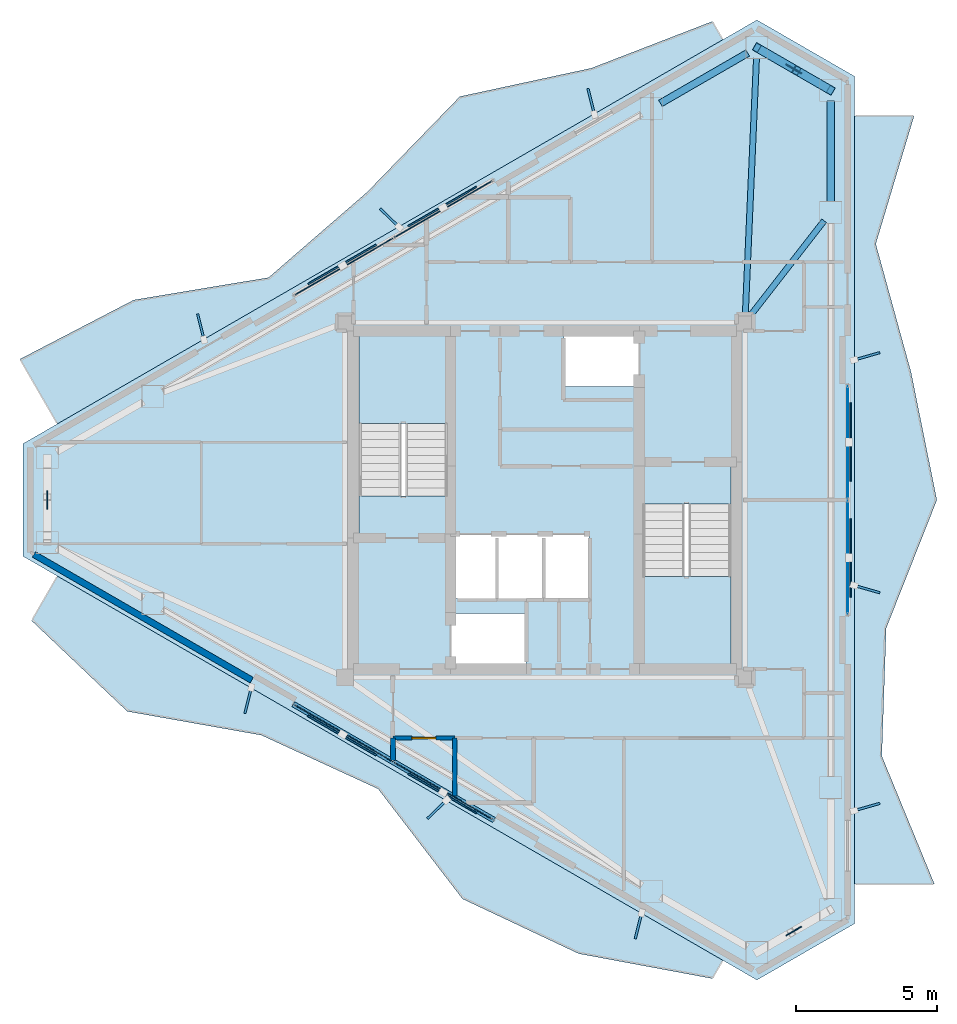
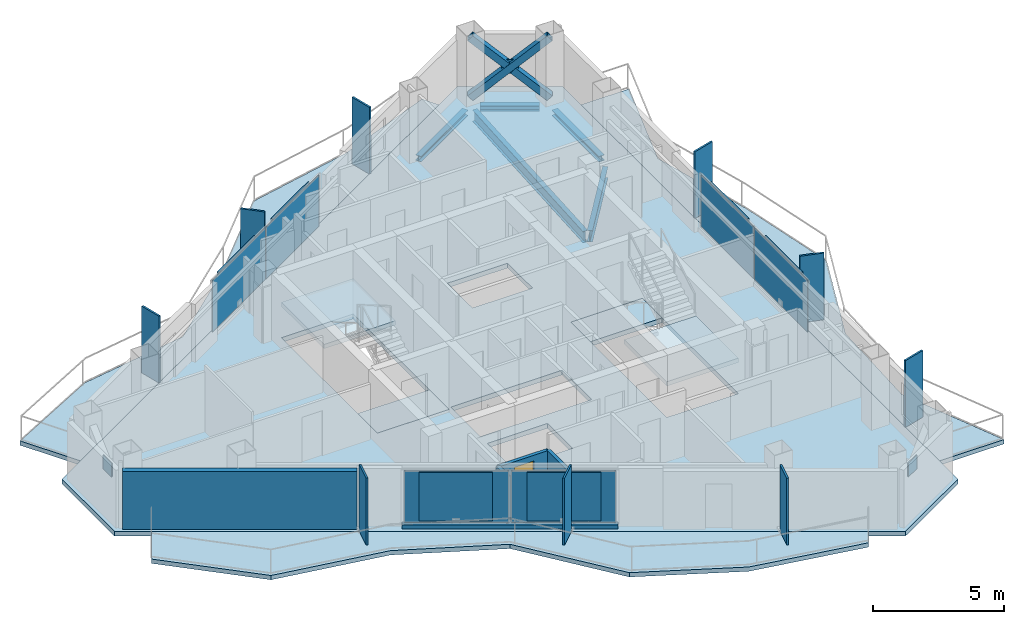
# One storey, part 13 of 18: 24 plates, 8 slabs, 5 beams, 5 walls, 3 members, 1 door, 1 opening, 5 elements without a shape of their own.
"""IFC4 building model written with IfcOpenShell, lengths in metres."""

from ifc_helpers import new_model, si_unit, direction, frame, frame_2d, origin, origin_2d, place, context, subcontext, project, spatial, polyline, rectangle, hollow_rectangle, i_section, outline, extrude, material, layer, layer_set, material_profile, profile_set, type_object, element, fill, aggregate, save


model = new_model("IFC4")

# Units and contexts
model_context = context("Model", 3, precision=1e-05, world=origin(), true_north=direction((0.0, 1.0)))
body_context = subcontext(model_context, "Body", "Model", "MODEL_VIEW")
ifc_project = project(units=[si_unit("LENGTHUNIT", "METRE"), si_unit("AREAUNIT", "SQUARE_METRE"), si_unit("VOLUMEUNIT", "CUBIC_METRE"), si_unit("PLANEANGLEUNIT", "RADIAN"), si_unit("MASSUNIT", "GRAM", prefix="KILO")], contexts=[model_context])

# Site, building, storey
site_placement = place(None, origin())
site = spatial("IfcSite", under=ifc_project, at=site_placement, CompositionType="ELEMENT")
building_placement = place(site_placement, origin())
building = spatial("IfcBuilding", under=site, at=building_placement, Name="Mersakhor Tower and Convention Hall", CompositionType="ELEMENT")
storey_placement = place(building_placement, frame((0.0, 0.0, 233.10009765625)))
storey = spatial("IfcBuildingStorey", under=building, at=storey_placement, Name="L65", CompositionType="ELEMENT", Elevation=233.10009765625)

# Beams
ifc_material_1 = material(Name="Steel S355", Category="steel")
ifc_material_profile_1 = material_profile(ifc_material_1, i_section(OverallWidth=0.2099609375, OverallDepth=0.53662109375, WebThickness=0.0107421875, FlangeThickness=0.017333984375, at=origin_2d()), Name="UB 533x210x101")
ifc_profile_set_1 = profile_set([ifc_material_profile_1], Name="Steel S355")
beam_type_1 = type_object("IfcBeamType", Name="BM-FB-533", PredefinedType="BEAM", material=ifc_profile_set_1)
beam_1_placement = place(storey_placement, frame((36.1123046875, 33.32958984375, -0.488525390625), z_axis=(0.043540774519, 0.999051650794, 0.0), x_axis=(-0.999051650794, 0.043540774519, 0.0)))
element("IfcBeam", 1, at=beam_1_placement, inside=storey, type_object=beam_type_1, Name="L65 Primary Floor Girder FG-2", PredefinedType="BEAM", context=body_context, shape_type="SweptSolid", body=[
    extrude(i_section(OverallWidth=0.2099609375, OverallDepth=0.53662109375, WebThickness=0.0107421875, FlangeThickness=0.017333984375, at=origin_2d()), origin(), (0.0, 0.0, 1.0), 9.10595703125),
])
beam_2_placement = place(storey_placement, frame((36.27197265625, 33.27099609375, -0.488525390625), z_axis=(0.614066533088, 0.789254263809, 0.0), x_axis=(-0.789254263809, 0.614066533088, 0.0)))
element("IfcBeam", 2, at=beam_2_placement, inside=storey, type_object=beam_type_1, Name="L65 Primary Floor Girder FG-3", PredefinedType="BEAM", context=body_context, shape_type="SweptSolid", body=[
    extrude(i_section(OverallWidth=0.2099609375, OverallDepth=0.53662109375, WebThickness=0.0107421875, FlangeThickness=0.017333984375, at=origin_2d()), origin(), (0.0, 0.0, 1.0), 4.295166015625),
])
ifc_material_2 = material(Name="Steel S355", Category="steel")
ifc_material_profile_2 = material_profile(ifc_material_2, i_section(OverallWidth=0.25634765625, OverallDepth=0.26025390625, WebThickness=0.01025390625, FlangeThickness=0.017333984375, at=origin_2d()), Name="UC 254x254x89")
ifc_profile_set_2 = profile_set([ifc_material_profile_2], Name="Steel S355")
beam_type_2 = type_object("IfcBeamType", Name="BM-SPD-UC254", PredefinedType="SPANDREL", material=ifc_profile_set_2)
beam_3_placement = place(storey_placement, frame((33.1005859375, 40.829345703125, -0.35009765625), z_axis=(0.866002454009, 0.500039748071, 0.0), x_axis=(-0.500039748071, 0.866002454009, 0.0)))
element("IfcBeam", 3, at=beam_3_placement, inside=storey, type_object=beam_type_2, Name="L65 Perimeter Spandrel Beam SPB-03", PredefinedType="SPANDREL", context=body_context, shape_type="SweptSolid", body=[
    extrude(i_section(OverallWidth=0.25634765625, OverallDepth=0.26025390625, WebThickness=0.01025390625, FlangeThickness=0.017333984375, at=origin_2d()), origin(), (0.0, 0.0, 1.0), 3.574462890625),
])
beam_4_placement = place(storey_placement, frame((36.854248046875, 42.61669921875, -0.35009765625), z_axis=(0.866016678684, -0.500015112013, 0.0), x_axis=(0.500015112013, 0.866016678684, 0.0)))
element("IfcBeam", 4, at=beam_4_placement, inside=storey, type_object=beam_type_2, Name="L65 Perimeter Spandrel Beam SPB-04", PredefinedType="SPANDREL", context=body_context, shape_type="SweptSolid", body=[
    extrude(i_section(OverallWidth=0.25634765625, OverallDepth=0.26025390625, WebThickness=0.01025390625, FlangeThickness=0.017333984375, at=origin_2d()), origin(), (0.0, 0.0, 1.0), 2.2626953125),
])
beam_5_placement = place(storey_placement, frame((39.142822265625, 40.915283203125, -0.35009765625), z_axis=(0.0, -1.0, 0.0), x_axis=(1.0, 0.0, 0.0)))
element("IfcBeam", 5, at=beam_5_placement, inside=storey, type_object=beam_type_2, Name="L65 Perimeter Spandrel Beam SPB-05", PredefinedType="SPANDREL", context=body_context, shape_type="SweptSolid", body=[
    extrude(i_section(OverallWidth=0.25634765625, OverallDepth=0.26025390625, WebThickness=0.01025390625, FlangeThickness=0.017333984375, at=origin_2d()), origin(), (0.0, 0.0, 1.0), 3.574462890625),
])

# Members
ifc_material_3 = material(Name="Steel S355", Category="steel")
ifc_material_profile_3 = material_profile(ifc_material_3, hollow_rectangle(XDim=0.300048828125, YDim=0.300048828125, WallThickness=0.01611328125, at=origin_2d()), Name="SHS 300x300x16")
ifc_profile_set_3 = profile_set([ifc_material_profile_3], Name="Steel S355")
member_type = type_object("IfcMemberType", Name="MB-BRC-SHS300", PredefinedType="BRACE", material=ifc_profile_set_3)
member_placement = place(storey_placement, frame((36.525146484375, 42.806640625, 0.14990234375), z_axis=(0.637423019708, -0.367995569109, 0.676957277132), x_axis=(0.499978822259, 0.866037630414, 0.0)))
element("IfcMember", 6, at=member_placement, inside=storey, type_object=member_type, Name="L65 Chamfer Braced Frame Diagonal CB-1A", PredefinedType="BRACE", context=body_context, shape_type="SweptSolid", body=[
    extrude(hollow_rectangle(XDim=0.300048828125, YDim=0.300048828125, WallThickness=0.01611328125, at=origin_2d()), origin(), (0.0, 0.0, 1.0), 4.106689453125),
])
for number, where, z_axis, x_axis, name in (
    (7, (39.142822265625, 41.29541015625, 0.14990234375), (-0.6374128848, 0.367990943802, 0.676969334291), (-0.499980071345, -0.866036909293, 0.0), "L65 Chamfer Braced Frame Diagonal CB-1B Lower Half"),
    (8, (37.73291015625, 42.109375, 1.647216796875), (-0.6374128848, 0.367990943802, 0.676969334291), (-0.499980071345, -0.866036909293, 0.0), "L65 Chamfer Braced Frame Diagonal CB-1B Upper Half"),
):
    element("IfcMember", number, at=place(storey_placement, frame(where, z_axis=z_axis, x_axis=x_axis)), inside=storey, type_object=member_type, Name=name, PredefinedType="BRACE", context=body_context, shape_type="SweptSolid", body=[
        extrude(hollow_rectangle(XDim=0.300048828125, YDim=0.300048828125, WallThickness=0.01611328125, at=origin_2d()), origin(), (0.0, 0.0, 1.0), 1.894775390625),
    ])

# Curtain wall, plates
ifc_material_4 = material(Name="Dark solar low-E aluminium curtain wall", Category="aluminium")
ifc_layer_1 = layer(ifc_material_4, 0.179931640625)
ifc_layer_set_1 = layer_set([ifc_layer_1], Name="Dark solar low-E aluminium curtain wall")
curtain_wall_type = type_object("IfcCurtainWallType", Name="CW-SYS-03", PredefinedType="USERDEFINED", material=ifc_layer_set_1)
curtain_wall_1_placement = place(storey_placement, origin())
curtain_wall_1 = element("IfcCurtainWall", 9, at=curtain_wall_1_placement, inside=storey, type_object=curtain_wall_type, Name="L65 Dark-Glass Curtain Wall F1-B2", ObjectType="CURTAIN WALL", PredefinedType="USERDEFINED")
ifc_material_5 = material(Name="Dark solar double glazing", Category="glass")
ifc_layer_2 = layer(ifc_material_5, 0.031982421875)
ifc_layer_set_2 = layer_set([ifc_layer_2], Name="Dark solar double glazing")
plate_type_1 = type_object("IfcPlateType", Name="CWP-GLZ-32", PredefinedType="CURTAIN_PANEL", material=ifc_layer_set_2)
plate_1_placement = place(storey_placement, frame((21.863525390625, 35.034423828125, 0.260009765625), z_axis=(0.0, 0.0, 1.0), x_axis=(0.86602285698, 0.500004411169, 0.0)))
plate_1 = element("IfcPlate", 10, at=plate_1_placement, type_object=plate_type_1, Name="CW-03 panel 1.1", PredefinedType="CURTAIN_PANEL", context=body_context, shape_type="SweptSolid", body=[
    extrude(rectangle(XDim=4.00146484375, YDim=0.031982421875, at=origin_2d()), origin(), (0.0, 0.0, 1.0), 2.3798828125),
])
plate_2_placement = place(storey_placement, frame((25.393798828125, 37.07275390625, 0.260009765625), z_axis=(0.0, 0.0, 1.0), x_axis=(0.86602285698, 0.500004411169, 0.0)))
plate_2 = element("IfcPlate", 11, at=plate_2_placement, type_object=plate_type_1, Name="CW-03 panel 2.1", PredefinedType="CURTAIN_PANEL", context=body_context, shape_type="SweptSolid", body=[
    extrude(rectangle(XDim=4.00146484375, YDim=0.031982421875, at=origin_2d()), origin(), (0.0, 0.0, 1.0), 2.3798828125),
])
aggregate(curtain_wall_1, [plate_1, plate_2])

curtain_wall_2_placement = place(storey_placement, origin())
curtain_wall_2 = element("IfcCurtainWall", 12, at=curtain_wall_2_placement, inside=storey, type_object=curtain_wall_type, Name="L65 Dark-Glass Curtain Wall F2-B2", ObjectType="CURTAIN WALL", PredefinedType="USERDEFINED")
plate_3_placement = place(storey_placement, frame((39.742919921875, 28.7880859375, 0.260009765625), z_axis=(0.0, 0.0, 1.0), x_axis=(0.0, -1.0, 0.0)))
plate_3 = element("IfcPlate", 13, at=plate_3_placement, type_object=plate_type_1, Name="CW-03 panel 1.1", PredefinedType="CURTAIN_PANEL", context=body_context, shape_type="SweptSolid", body=[
    extrude(rectangle(XDim=4.00146484375, YDim=0.031982421875, at=origin_2d()), origin(), (0.0, 0.0, 1.0), 2.3798828125),
])
plate_4_placement = place(storey_placement, frame((39.742919921875, 24.7119140625, 0.260009765625), z_axis=(0.0, 0.0, 1.0), x_axis=(0.0, -1.0, 0.0)))
plate_4 = element("IfcPlate", 14, at=plate_4_placement, type_object=plate_type_1, Name="CW-03 panel 2.1", PredefinedType="CURTAIN_PANEL", context=body_context, shape_type="SweptSolid", body=[
    extrude(rectangle(XDim=4.00146484375, YDim=0.031982421875, at=origin_2d()), origin(), (0.0, 0.0, 1.0), 2.3798828125),
])
aggregate(curtain_wall_2, [plate_3, plate_4])

curtain_wall_3_placement = place(storey_placement, origin())
curtain_wall_3 = element("IfcCurtainWall", 15, at=curtain_wall_3_placement, inside=storey, type_object=curtain_wall_type, Name="L65 Dark-Glass Curtain Wall F3-B2", ObjectType="CURTAIN WALL", PredefinedType="USERDEFINED")
plate_5_placement = place(storey_placement, frame((25.393798828125, 16.42724609375, 0.260009765625), z_axis=(0.0, 0.0, 1.0), x_axis=(-0.86602285698, 0.500004411169, 0.0)))
plate_5 = element("IfcPlate", 16, at=plate_5_placement, type_object=plate_type_1, Name="CW-03 panel 1.1", PredefinedType="CURTAIN_PANEL", context=body_context, shape_type="SweptSolid", body=[
    extrude(rectangle(XDim=4.00146484375, YDim=0.031982421875, at=origin_2d()), origin(), (0.0, 0.0, 1.0), 2.3798828125),
])
plate_6_placement = place(storey_placement, frame((21.863525390625, 18.465576171875, 0.260009765625), z_axis=(0.0, 0.0, 1.0), x_axis=(-0.86602285698, 0.500004411169, 0.0)))
plate_6 = element("IfcPlate", 17, at=plate_6_placement, type_object=plate_type_1, Name="CW-03 panel 2.1", PredefinedType="CURTAIN_PANEL", context=body_context, shape_type="SweptSolid", body=[
    extrude(rectangle(XDim=4.00146484375, YDim=0.031982421875, at=origin_2d()), origin(), (0.0, 0.0, 1.0), 2.3798828125),
])
aggregate(curtain_wall_3, [plate_5, plate_6])

# Plates
ifc_material_6 = material(Name="Ceramic-clad aluminium Zone 5 ultramarine", Category="aluminium")
ifc_material_7 = material(Name="Ceramic-clad aluminium Zone 1 cobalt-slate", Category="masonry")
ifc_layer_3 = layer(ifc_material_7, 0.080078125)
ifc_layer_set_3 = layer_set([ifc_layer_3], Name="Ceramic-clad aluminium Zone 1 cobalt-slate")
plate_type_2 = type_object("IfcPlateType", Name="PL-FIN-80", PredefinedType="USERDEFINED", material=ifc_layer_set_3)
for number, where, z_axis, x_axis, name in (
    (18, (16.78564453125, 32.8955078125, -0.000244140625), (0.0, 0.0, 1.0), (-0.2419218956, 0.970295726276, 0.0), "L65 Zone 5 Coloured Brise-Soleil Fin F1-1"),
    (19, (23.487060546875, 36.7646484375, -0.000244140625), (0.0, 0.0, 1.0), (-0.719339800339, 0.694658370459, 0.0), "L65 Zone 5 Coloured Brise-Soleil Fin F1-2"),
    (20, (30.64208984375, 40.8955078125, -0.000244140625), (0.0, 0.0, 1.0), (-0.2419218956, 0.970295726276, 0.0), "L65 Zone 5 Coloured Brise-Soleil Fin F1-3"),
    (21, (40.429443359375, 31.850341796875, -0.000244140625), (0.0, 0.0, 1.0), (0.961261695938, 0.275637355817, 0.0), "L65 Zone 5 Coloured Brise-Soleil Fin F2-1"),
    (22, (40.429443359375, 23.58837890625, -0.000244140625), (0.0, 0.0, 1.0), (0.961261695938, -0.275637355817, 0.0), "L65 Zone 5 Coloured Brise-Soleil Fin F2-2"),
    (23, (40.429443359375, 15.850341796875, -0.000244140625), (0.0, 0.0, 1.0), (0.961261695938, 0.275637355817, 0.0), "L65 Zone 5 Coloured Brise-Soleil Fin F2-3"),
    (24, (32.321044921875, 11.635009765625, -0.000244140625), (0.0, 0.0, 1.0), (-0.2419218956, -0.970295726276, 0.0), "L65 Zone 5 Coloured Brise-Soleil Fin F3-1"),
    (25, (25.166015625, 15.765869140625, -0.000244140625), (0.0, 0.0, 1.0), (-0.719339800339, -0.694658370459, 0.0), "L65 Zone 5 Coloured Brise-Soleil Fin F3-2"),
    (26, (18.464599609375, 19.635009765625, -0.000244140625), (0.0, 0.0, 1.0), (-0.2419218956, -0.970295726276, 0.0), "L65 Zone 5 Coloured Brise-Soleil Fin F3-3"),
):
    element("IfcPlate", number, at=place(storey_placement, frame(where, z_axis=z_axis, x_axis=x_axis)), inside=storey, type_object=plate_type_2, material=ifc_material_6, Name=name, ObjectType="FIN", PredefinedType="USERDEFINED", context=body_context, shape_type="SweptSolid", body=[
        extrude(rectangle(XDim=0.949951171875, YDim=0.080078125, at=origin_2d()), origin(), (0.0, 0.0, 1.0), 3.10009765625),
    ])
ifc_material_8 = material(Name="Steel S460", Category="steel")
ifc_layer_4 = layer(ifc_material_8, 0.0400390625)
ifc_layer_set_4 = layer_set([ifc_layer_4], Name="Steel S460")
plate_type_3 = type_object("IfcPlateType", Name="PL-GUSSET-40", PredefinedType="SHEET", material=ifc_layer_set_4)
for number, where, z_axis, x_axis, name in (
    (27, (37.833984375, 42.051025390625, 1.2197265625), (0.0, 0.0, 1.0), (-0.866025403784, 0.5, 0.0), "L65 X-Brace Crossing Gusset Node Plate"),
    (28, (37.833984375, 11.448974609375, 1.2197265625), (0.0, 0.0, 1.0), (0.866025403784, 0.5, 0.0), "L65 X-Brace Crossing Gusset Node Plate"),
    (29, (11.33203125, 26.75, 1.2197265625), (0.0, 0.0, 1.0), (0.0, -1.0, 0.0), "L65 X-Brace Crossing Gusset Node Plate"),
):
    element("IfcPlate", number, at=place(storey_placement, frame(where, z_axis=z_axis, x_axis=x_axis)), inside=storey, type_object=plate_type_3, Name=name, PredefinedType="SHEET", context=body_context, shape_type="SweptSolid", body=[
        extrude(rectangle(XDim=0.639892578125, YDim=0.0400390625, at=origin_2d()), origin(), (0.0, 0.0, 1.0), 0.639892578125),
    ])
ifc_material_9 = material(Name="Perforated ceramic cobogo solar screen", Category="aluminium")
ifc_layer_5 = layer(ifc_material_9, 0.055908203125)
ifc_layer_set_5 = layer_set([ifc_layer_5], Name="Perforated ceramic cobogo solar screen")
plate_type_4 = type_object("IfcPlateType", Name="PL-SCR-56", PredefinedType="USERDEFINED", material=ifc_layer_set_5)
for number, where, z_axis, x_axis, name in (
    (30, (21.79833984375, 35.10986328125, 0.39990234375), (0.0, 0.0, 1.0), (0.866025403784, 0.5, 0.0), "L65 Perforated Ceramic Solar Screen F1-1"),
    (31, (25.361083984375, 37.1669921875, 0.39990234375), (0.0, 0.0, 1.0), (0.866025403784, 0.5, 0.0), "L65 Perforated Ceramic Solar Screen F1-2"),
    (32, (39.8408203125, 28.806884765625, 0.39990234375), (0.0, 0.0, 1.0), (0.0, -1.0, 0.0), "L65 Perforated Ceramic Solar Screen F2-1"),
    (33, (39.8408203125, 24.693115234375, 0.39990234375), (0.0, 0.0, 1.0), (0.0, -1.0, 0.0), "L65 Perforated Ceramic Solar Screen F2-2"),
    (34, (25.36083984375, 16.3330078125, 0.39990234375), (0.0, 0.0, 1.0), (-0.866025403784, 0.5, 0.0), "L65 Perforated Ceramic Solar Screen F3-1"),
    (35, (21.798095703125, 18.389892578125, 0.39990234375), (0.0, 0.0, 1.0), (-0.866025403784, 0.5, 0.0), "L65 Perforated Ceramic Solar Screen F3-2"),
):
    element("IfcPlate", number, at=place(storey_placement, frame(where, z_axis=z_axis, x_axis=x_axis)), inside=storey, type_object=plate_type_4, Name=name, ObjectType="SCREEN", PredefinedType="USERDEFINED", context=body_context, shape_type="SweptSolid", body=[
        extrude(rectangle(XDim=2.800048828125, YDim=0.055908203125, at=origin_2d()), origin(), (0.0, 0.0, 1.0), 2.25),
    ])

# Slabs
ifc_material_10 = material(Name="Concrete C45/55", Category="concrete")
ifc_layer_6 = layer(ifc_material_10, 0.199951171875)
ifc_layer_set_6 = layer_set([ifc_layer_6], Name="Concrete C45/55")
slab_type_1 = type_object("IfcSlabType", Name="SL-BAL-200", PredefinedType="FLOOR", material=ifc_layer_set_6)
slab_1_placement = place(storey_placement, frame((0.0, 0.0, -0.2001953125)))
element("IfcSlab", 36, at=slab_1_placement, inside=storey, type_object=slab_type_1, Name="L65 Sinusoidal Balcony Slab Face 1", PredefinedType="FLOOR", context=body_context, shape_type="SweptSolid", body=[
    extrude(outline(polyline([(11.6943359375, 29.451904296875), (35.312744140625, 43.088134765625), (34.937744140625, 43.737548828125), (30.646728515625, 42.0791015625), (25.97998046875, 41.071533203125), (22.689697265625, 37.6796875), (19.192138671875, 34.64697265625), (14.40380859375, 33.85009765625), (10.36669921875, 31.751708984375), (11.6943359375, 29.451904296875)])), origin(), (0.0, 0.0, 1.0), 0.2001953125),
])
slab_2_placement = place(storey_placement, frame((0.0, 0.0, -0.2001953125)))
element("IfcSlab", 37, at=slab_2_placement, inside=storey, type_object=slab_type_1, Name="L65 Sinusoidal Balcony Slab Face 2", PredefinedType="FLOOR", context=body_context, shape_type="SweptSolid", body=[
    extrude(outline(polyline([(39.992919921875, 40.385986328125), (39.992919921875, 13.114013671875), (42.825927734375, 13.114013671875), (40.957763671875, 17.6591796875), (41.11474609375, 22.20458984375), (42.912841796875, 26.75), (41.993408203125, 31.29541015625), (40.742919921875, 35.8408203125), (42.10595703125, 40.385986328125), (39.992919921875, 40.385986328125)])), origin(), (0.0, 0.0, 1.0), 0.2001953125),
])
slab_3_placement = place(storey_placement, frame((0.0, 0.0, -0.2001953125)))
element("IfcSlab", 38, at=slab_3_placement, inside=storey, type_object=slab_type_1, Name="L65 Sinusoidal Balcony Slab Face 3", PredefinedType="FLOOR", context=body_context, shape_type="SweptSolid", body=[
    extrude(outline(polyline([(35.312744140625, 10.411865234375), (11.6943359375, 24.048095703125), (10.77978515625, 22.464111328125), (14.1708984375, 19.24658203125), (18.931640625, 18.40185546875), (23.0791015625, 16.49462890625), (26.073486328125, 12.59033203125), (30.19921875, 10.6455078125), (34.937744140625, 9.762451171875), (35.312744140625, 10.411865234375)])), origin(), (0.0, 0.0, 1.0), 0.2001953125),
])
ifc_material_11 = material(Name="Concrete C40/50", Category="concrete")
ifc_layer_7 = layer(ifc_material_11, 0.219970703125)
ifc_layer_set_7 = layer_set([ifc_layer_7], Name="Concrete C40/50")
slab_type_2 = type_object("IfcSlabType", Name="SL-FLR-220", PredefinedType="FLOOR", material=ifc_layer_set_7)
slab_4_placement = place(storey_placement, frame((0.0, 0.0, -0.22021484375)))
element("IfcSlab", 39, at=slab_4_placement, inside=storey, type_object=slab_type_2, Name="L65 ST-1 Structural Stair Floor Landing", PredefinedType="LANDING", context=body_context, shape_type="SweptSolid", body=[
    extrude(outline(polyline([(25.550048828125, 25.39990234375), (25.550048828125, 26.89990234375), (22.39990234375, 26.89990234375), (22.39990234375, 25.39990234375), (25.550048828125, 25.39990234375)])), origin(), (0.0, 0.0, 1.0), 0.22021484375),
])
slab_5_placement = place(storey_placement, frame((0.0, 0.0, -0.22021484375)))
element("IfcSlab", 40, at=slab_5_placement, inside=storey, type_object=slab_type_2, Name="L65 ST-2 Structural Stair Floor Landing", PredefinedType="LANDING", context=body_context, shape_type="SweptSolid", body=[
    extrude(outline(polyline([(32.449951171875, 28.10009765625), (32.449951171875, 26.60009765625), (35.60009765625, 26.60009765625), (35.60009765625, 28.10009765625), (32.449951171875, 28.10009765625)])), origin(), (0.0, 0.0, 1.0), 0.22021484375),
])
slab_6_placement = place(storey_placement, frame((0.0, 0.0, -0.22021484375)))
element("IfcSlab", 41, at=slab_6_placement, inside=storey, type_object=slab_type_2, Name="Tower L65 Structural Floor Slab", PredefinedType="FLOOR", context=body_context, shape_type="SweptSolid", body=[
    extrude(outline(polyline([(10.48193359375, 28.751953125), (36.525146484375, 43.7880859375), (39.992919921875, 41.7861328125), (39.992919921875, 11.7138671875), (36.525146484375, 9.7119140625), (10.48193359375, 24.748046875), (10.48193359375, 28.751953125)]), holes=[polyline([(25.550048828125, 25.39990234375), (25.550048828125, 32.699951171875), (22.39990234375, 32.699951171875), (22.39990234375, 25.39990234375), (25.550048828125, 25.39990234375)]), polyline([(32.449951171875, 28.10009765625), (32.449951171875, 20.800048828125), (35.60009765625, 20.800048828125), (35.60009765625, 28.10009765625), (32.449951171875, 28.10009765625)]), polyline([(25.679931640625, 20.820068359375), (25.679931640625, 22.719970703125), (28.320068359375, 22.719970703125), (28.320068359375, 20.820068359375), (25.679931640625, 20.820068359375)]), polyline([(29.679931640625, 30.780029296875), (29.679931640625, 32.679931640625), (32.320068359375, 32.679931640625), (32.320068359375, 30.780029296875), (29.679931640625, 30.780029296875)]), polyline([(25.679931640625, 23.25), (25.679931640625, 25.5), (30.570068359375, 25.5), (30.570068359375, 23.25), (25.679931640625, 23.25)])]), origin(), (0.0, 0.0, 1.0), 0.22021484375),
])

# Stair, slab
ifc_material_12 = material(Name="Concrete C45/55", Category="concrete")
stair_type = type_object("IfcStairType", Name="ST-TWR-20R", PredefinedType="HALF_TURN_STAIR", material=ifc_material_12)
stair_1_placement = place(storey_placement, origin())
stair_1 = element("IfcStair", 42, at=stair_1_placement, inside=storey, type_object=stair_type, Name="L65 Tower Protected Exit Stair ST-1", PredefinedType="HALF_TURN_STAIR")
ifc_material_13 = material(Name="Concrete C45/55", Category="concrete")
ifc_layer_8 = layer(ifc_material_13, 0.199951171875)
ifc_layer_set_8 = layer_set([ifc_layer_8], Name="Concrete C45/55")
slab_type_3 = type_object("IfcSlabType", Name="SL-LAND-200", PredefinedType="LANDING", material=ifc_layer_set_8)
slab_7_placement = place(storey_placement, frame((0.0, 0.0, 1.449951171875)))
slab_7 = element("IfcSlab", 43, at=slab_7_placement, type_object=slab_type_3, Name="ST-1 landing 1", PredefinedType="LANDING", context=body_context, shape_type="SweptSolid", body=[
    extrude(outline(polyline([(25.550048828125, 29.465087890625), (25.550048828125, 32.699951171875), (22.39990234375, 32.699951171875), (22.39990234375, 29.465087890625), (25.550048828125, 29.465087890625)])), origin(), (0.0, 0.0, 1.0), 0.199951171875),
])
aggregate(stair_1, [slab_7])

stair_2_placement = place(storey_placement, origin())
stair_2 = element("IfcStair", 44, at=stair_2_placement, inside=storey, type_object=stair_type, Name="L65 Tower Protected Exit Stair ST-2", PredefinedType="HALF_TURN_STAIR")
slab_8_placement = place(storey_placement, frame((0.0, 0.0, 1.449951171875)))
slab_8 = element("IfcSlab", 45, at=slab_8_placement, type_object=slab_type_3, Name="ST-2 landing 1", PredefinedType="LANDING", context=body_context, shape_type="SweptSolid", body=[
    extrude(outline(polyline([(32.449951171875, 24.034912109375), (32.449951171875, 20.800048828125), (35.60009765625, 20.800048828125), (35.60009765625, 24.034912109375), (32.449951171875, 24.034912109375)])), origin(), (0.0, 0.0, 1.0), 0.199951171875),
])
aggregate(stair_2, [slab_8])

# Walls
ifc_material_14 = material(Name="Precast concrete C40/50", Category="concrete")
ifc_layer_9 = layer(ifc_material_14, 0.22509765625)
ifc_layer_set_9 = layer_set([ifc_layer_9], Name="Precast concrete C40/50")
wall_type_1 = type_object("IfcWallType", Name="WL-EXT-225", PredefinedType="SOLIDWALL", material=ifc_layer_set_9)
wall_1_placement = place(storey_placement, frame((18.593505859375, 20.353515625, 0.0), z_axis=(0.0, 0.0, 1.0), x_axis=(-0.866026655105, 0.499997832642, 0.0)))
element("IfcWall", 46, at=wall_1_placement, inside=storey, type_object=wall_type_1, Name="L65 Exterior Facade Wall F3-B3", PredefinedType="SOLIDWALL", context=body_context, shape_type="SweptSolid", body=[
    extrude(rectangle(XDim=8.927734375, YDim=0.22509765625, at=frame_2d((4.4638671875, 0.0))), origin(), (0.0, 0.0, 1.0), 2.699951171875),
])
ifc_material_15 = material(Name="Precast concrete C40/50", Category="concrete")
ifc_layer_10 = layer(ifc_material_15, 0.199951171875)
ifc_layer_set_10 = layer_set([ifc_layer_10], Name="Precast concrete C40/50")
wall_type_2 = type_object("IfcWallType", Name="WL-PAR-200", PredefinedType="PARAPET", material=ifc_layer_set_10)
wall_2_placement = place(storey_placement, frame((27.19140625, 15.389404296875, 0.0), z_axis=(0.0, 0.0, 1.0), x_axis=(-0.866019557082, 0.500010126649, 0.0)))
element("IfcWall", 47, at=wall_2_placement, inside=storey, type_object=wall_type_2, Name="L65 Curtain Wall Upstand Sill F3-B2", PredefinedType="PARAPET", context=body_context, shape_type="SweptSolid", body=[
    extrude(rectangle(XDim=8.227783203125, YDim=0.199951171875, at=frame_2d((4.11376953125, 0.0))), origin(), (0.0, 0.0, 1.0), 0.199951171875),
])
ifc_material_16 = material(Name="Moisture-resistant acoustic drywall studwork", Category="other")
ifc_layer_11 = layer(ifc_material_16, 0.175048828125)
ifc_layer_set_11 = layer_set([ifc_layer_11], Name="Moisture-resistant acoustic drywall studwork")
wall_type_3 = type_object("IfcWallType", Name="WL-PLM-175", PredefinedType="PLUMBINGWALL", material=ifc_layer_set_11)
wall_3_placement = place(storey_placement, frame((23.60009765625, 17.50927734375, 0.0), z_axis=(0.0, 0.0, 1.0), x_axis=(0.0, 1.0, 0.0)))
element("IfcWall", 48, at=wall_3_placement, inside=storey, type_object=wall_type_3, Name="L65 Interior Partition Wall P-043", PredefinedType="PLUMBINGWALL", context=body_context, shape_type="SweptSolid", body=[
    extrude(rectangle(XDim=0.790771484375, YDim=0.175048828125, at=frame_2d((0.3955078125, 0.0))), origin(), (0.0, 0.0, 1.0), 2.364990234375),
])

# Wall, opening, door
ifc_material_17 = material(Name="Fire-rated gypsum board stud partition", Category="other")
ifc_layer_12 = layer(ifc_material_17, 0.14990234375)
ifc_layer_set_12 = layer_set([ifc_layer_12], Name="Fire-rated gypsum board stud partition")
wall_type_4 = type_object("IfcWallType", Name="WL-PRT-150", PredefinedType="PARTITIONING", material=ifc_layer_set_12)
wall_4_placement = place(storey_placement, frame((25.800048828125, 18.300048828125, 0.0), z_axis=(0.0, 0.0, 1.0), x_axis=(-1.0, 0.0, 0.0)))
wall_4 = element("IfcWall", 49, at=wall_4_placement, inside=storey, type_object=wall_type_4, Name="L65 Interior Partition Wall P-035", PredefinedType="PARTITIONING", context=body_context, shape_type="SweptSolid", body=[
    extrude(rectangle(XDim=2.199951171875, YDim=0.14990234375, at=frame_2d((1.10009765625, 0.0))), origin(), (0.0, 0.0, 1.0), 2.364990234375),
])
opening_placement = place(wall_4_placement, frame((0.675048828125, 0.0, 0.0)))
opening = element("IfcOpeningElement", 50, at=opening_placement, cuts=wall_4, Name="Opening SVD-01", PredefinedType="OPENING", context=body_context, shape_type="SweptSolid", body=[
    extrude(rectangle(XDim=0.85009765625, YDim=2.10009765625, at=frame_2d((0.425048828125, 1.050048828125))), frame((0.0, 0.0849609375, 0.0), z_axis=(0.0, -1.0, 0.0), x_axis=(1.0, 0.0, 0.0)), (0.0, 0.0, 1.0), 0.169921875),
])
ifc_material_18 = material(Name="Fire-rated hardwood leaf and painted steel frame", Category="steel")
door_type = type_object("IfcDoorType", Name="DR-INT-SVC-085x210", OperationType="NOTDEFINED", PredefinedType="DOOR", material=ifc_material_18)
door_placement = place(opening_placement, origin())
door = element("IfcDoor", 51, at=door_placement, inside=storey, type_object=door_type, Name="L65 Residential South Gallery Corridor to L65 Floor Shared Restroom WC 2-1 Door", OperationType="SINGLE_SWING_RIGHT", OverallHeight=2.10009765625, OverallWidth=0.85009765625, PredefinedType="DOOR", context=body_context, shape_type="SweptSolid", body=[
    extrude(rectangle(XDim=0.85009765625, YDim=2.10009765625, at=frame_2d((0.425048828125, 1.050048828125))), frame((0.0, 0.02490234375, 0.0), z_axis=(0.0, -1.0, 0.0), x_axis=(1.0, 0.0, 0.0)), (0.0, 0.0, 1.0), 0.050048828125),
])
fill(opening, door)

# Wall
wall_5_placement = place(storey_placement, frame((25.800048828125, 18.300048828125, 0.0), z_axis=(0.0, 0.0, 1.0), x_axis=(0.0, -1.0, 0.0)))
element("IfcWall", 52, at=wall_5_placement, inside=storey, type_object=wall_type_4, Name="L65 Interior Partition Wall P-042", PredefinedType="PARTITIONING", context=body_context, shape_type="SweptSolid", body=[
    extrude(rectangle(XDim=2.06103515625, YDim=0.14990234375, at=frame_2d((1.030517578125, 0.0))), origin(), (0.0, 0.0, 1.0), 2.364990234375),
])

save(model, "model.ifc")
